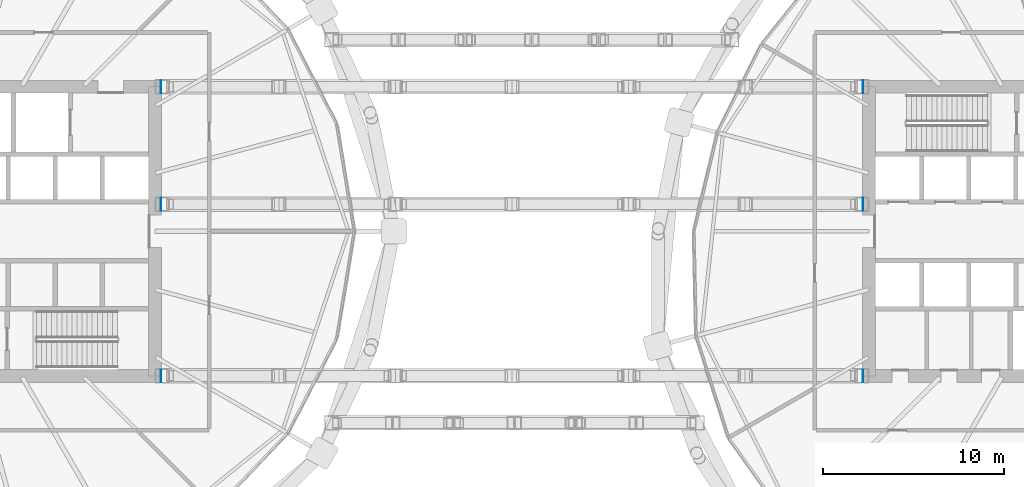
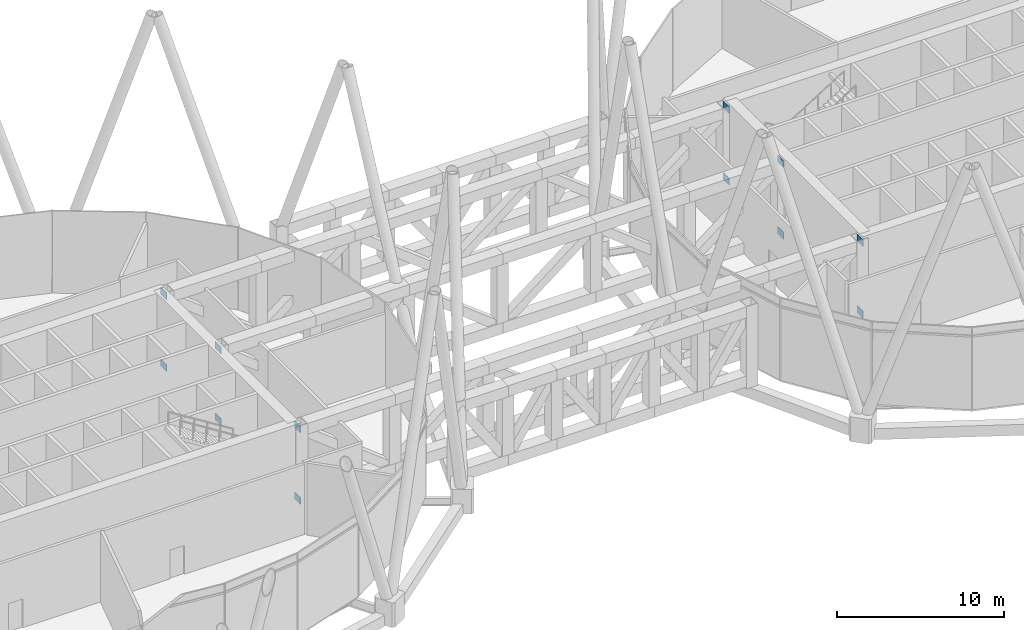
# One storey, part 37 of 39: 12 discrete accessories.
"""IFC4 building model written with IfcOpenShell, lengths in metres."""

from ifc_helpers import new_model, si_unit, direction, frame, origin, origin_2d, place, context, subcontext, project, spatial, rectangle, extrude, material, material_profile, profile_set, type_object, element, save


model = new_model("IFC4")

# Units and contexts
model_context = context("Model", 3, precision=1e-05, world=origin(), true_north=direction((0.0, 1.0)))
body_context = subcontext(model_context, "Body", "Model", "MODEL_VIEW")
ifc_project = project(units=[si_unit("LENGTHUNIT", "METRE"), si_unit("AREAUNIT", "SQUARE_METRE"), si_unit("VOLUMEUNIT", "CUBIC_METRE"), si_unit("PLANEANGLEUNIT", "RADIAN"), si_unit("MASSUNIT", "GRAM", prefix="KILO")], contexts=[model_context])

# Site, building, storey
site_placement = place(None, origin())
site = spatial("IfcSite", under=ifc_project, at=site_placement, CompositionType="ELEMENT")
building_placement = place(site_placement, origin())
building = spatial("IfcBuilding", under=site, at=building_placement, Name="Rimbun Link Towers", CompositionType="ELEMENT")
storey_placement = place(building_placement, frame((0.0, 0.0, 127.199951171875)))
storey = spatial("IfcBuildingStorey", under=building, at=storey_placement, Name="L31", CompositionType="ELEMENT", Elevation=127.199951171875)

# Discrete accessories
ifc_material = material(Name="Steel S355J2", Category="steel")
ifc_material_profile = material_profile(ifc_material, rectangle(XDim=0.699951171875, YDim=0.5, at=origin_2d()), Name="PL 700x500")
ifc_profile_set = profile_set([ifc_material_profile], Name="Steel S355J2")
discrete_accessory_type = type_object("IfcDiscreteAccessoryType", Name="Cast-in anchor plate 700X500X40", PredefinedType="ANCHORPLATE", material=ifc_profile_set)
for number, where, z_axis, x_axis, name in (
    (1, (-19.43994140625, -8.0, 0.300048828125), (1.0, 0.0, 0.0), (0.0, 1.0, 0.0), "Cast-in anchor plate 1-00 bottom"),
    (2, (-19.43994140625, -8.0, 5.5400390625), (1.0, 0.0, 0.0), (0.0, 1.0, 0.0), "Cast-in anchor plate 1-00 top"),
    (3, (19.43994140625, -8.0, 0.300048828125), (-1.0, 0.0, 0.0), (0.0, -1.0, 0.0), "Cast-in anchor plate 1-06 bottom"),
    (4, (19.43994140625, -8.0, 5.5400390625), (-1.0, 0.0, 0.0), (0.0, -1.0, 0.0), "Cast-in anchor plate 1-06 top"),
    (5, (-19.43994140625, 1.5, 0.300048828125), (1.0, 0.0, 0.0), (0.0, 1.0, 0.0), "Cast-in anchor plate 2-00 bottom"),
    (6, (-19.43994140625, 1.5, 5.5400390625), (1.0, 0.0, 0.0), (0.0, 1.0, 0.0), "Cast-in anchor plate 2-00 top"),
    (7, (19.43994140625, 1.5, 0.300048828125), (-1.0, 0.0, 0.0), (0.0, -1.0, 0.0), "Cast-in anchor plate 2-06 bottom"),
    (8, (19.43994140625, 1.5, 5.5400390625), (-1.0, 0.0, 0.0), (0.0, -1.0, 0.0), "Cast-in anchor plate 2-06 top"),
    (9, (-19.43994140625, 8.0, 0.300048828125), (1.0, 0.0, 0.0), (0.0, 1.0, 0.0), "Cast-in anchor plate 3-00 bottom"),
    (10, (-19.43994140625, 8.0, 5.5400390625), (1.0, 0.0, 0.0), (0.0, 1.0, 0.0), "Cast-in anchor plate 3-00 top"),
    (11, (19.43994140625, 8.0, 0.300048828125), (-1.0, 0.0, 0.0), (0.0, -1.0, 0.0), "Cast-in anchor plate 3-06 bottom"),
    (12, (19.43994140625, 8.0, 5.5400390625), (-1.0, 0.0, 0.0), (0.0, -1.0, 0.0), "Cast-in anchor plate 3-06 top"),
):
    element("IfcDiscreteAccessory", number, at=place(storey_placement, frame(where, z_axis=z_axis, x_axis=x_axis)), inside=storey, type_object=discrete_accessory_type, Name=name, PredefinedType="ANCHORPLATE", context=body_context, shape_type="SweptSolid", body=[
        extrude(rectangle(XDim=0.699951171875, YDim=0.5, at=origin_2d()), origin(), (0.0, 0.0, 1.0), 0.0400390625),
    ])

save(model, "model.ifc")
